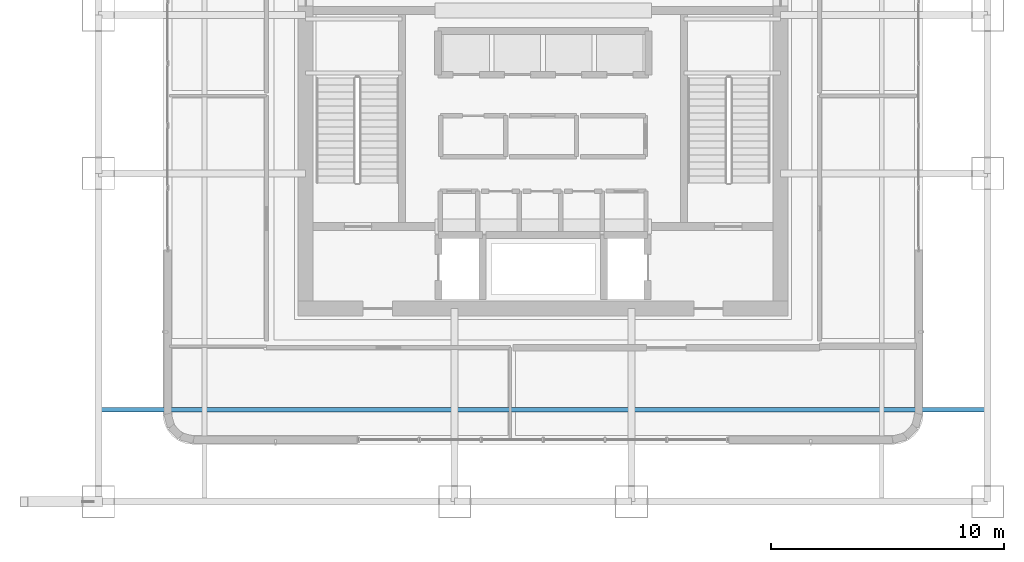
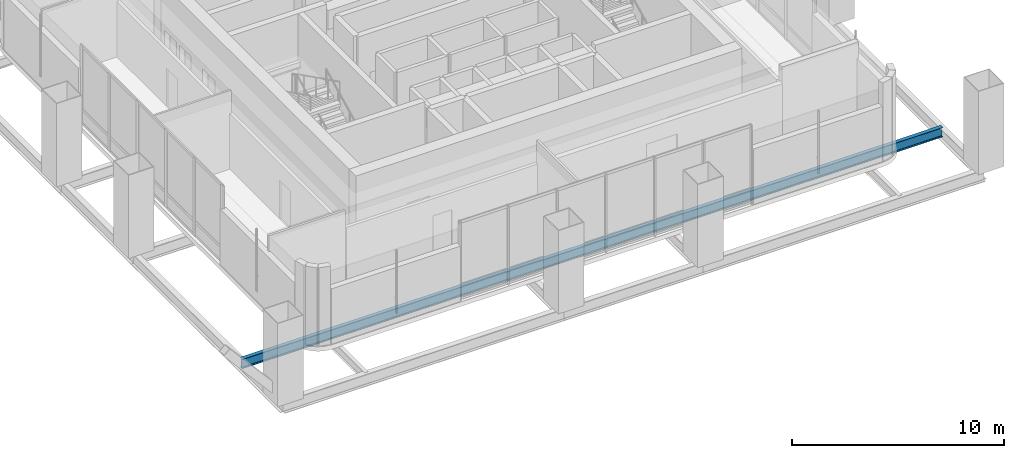
# One storey, part 4 of 30: 1 beam.
"""IFC4 building model written with IfcOpenShell, lengths in metres."""

from ifc_helpers import new_model, si_unit, direction, frame, origin, origin_2d, place, context, subcontext, project, spatial, i_section, extrude, material, material_profile, profile_set, type_object, element, save


model = new_model("IFC4")

# Units and contexts
model_context = context("Model", 3, precision=1e-05, world=origin(), true_north=direction((0.0, 1.0)))
body_context = subcontext(model_context, "Body", "Model", "MODEL_VIEW")
ifc_project = project(units=[si_unit("LENGTHUNIT", "METRE"), si_unit("AREAUNIT", "SQUARE_METRE"), si_unit("VOLUMEUNIT", "CUBIC_METRE"), si_unit("PLANEANGLEUNIT", "RADIAN"), si_unit("MASSUNIT", "GRAM", prefix="KILO")], contexts=[model_context])

# Site, building, storey
site_placement = place(None, origin())
site = spatial("IfcSite", under=ifc_project, at=site_placement, CompositionType="ELEMENT")
building_placement = place(site_placement, origin())
building = spatial("IfcBuilding", under=site, at=building_placement, Name="Punatoya Terracotta Tower", CompositionType="ELEMENT")
storey_placement = place(building_placement, frame((0.0, 0.0, 135.0)))
storey = spatial("IfcBuildingStorey", under=building, at=storey_placement, Name="L31", CompositionType="ELEMENT", Elevation=135.0)

# Beam
ifc_material = material(Name="Steel S355", Category="steel")
ifc_material_profile = material_profile(ifc_material, i_section(OverallWidth=0.2099609375, OverallDepth=0.550048828125, WebThickness=0.010986328125, FlangeThickness=0.01708984375, FilletRadius=0.01806640625, at=origin_2d()))
ifc_profile_set = profile_set([ifc_material_profile], Name="Steel S355")
beam_type = type_object("IfcBeamType", Name="BM-SPN-550", PredefinedType="SPANDREL", material=ifc_profile_set)
beam_placement = place(storey_placement, frame((-19.10009765625, -13.550048828125, -0.534912109375), z_axis=(1.0, 0.0, 0.0), x_axis=(0.0, 1.0, 0.0)))
element("IfcBeam", 1, at=beam_placement, inside=storey, type_object=beam_type, Name="BM-L31-NCK-S", PredefinedType="SPANDREL", context=body_context, shape_type="SweptSolid", body=[
    extrude(i_section(OverallWidth=0.2099609375, OverallDepth=0.550048828125, WebThickness=0.010986328125, FlangeThickness=0.01708984375, FilletRadius=0.01806640625, at=origin_2d()), origin(), (0.0, 0.0, 1.0), 38.2001953125),
])

save(model, "model.ifc")
